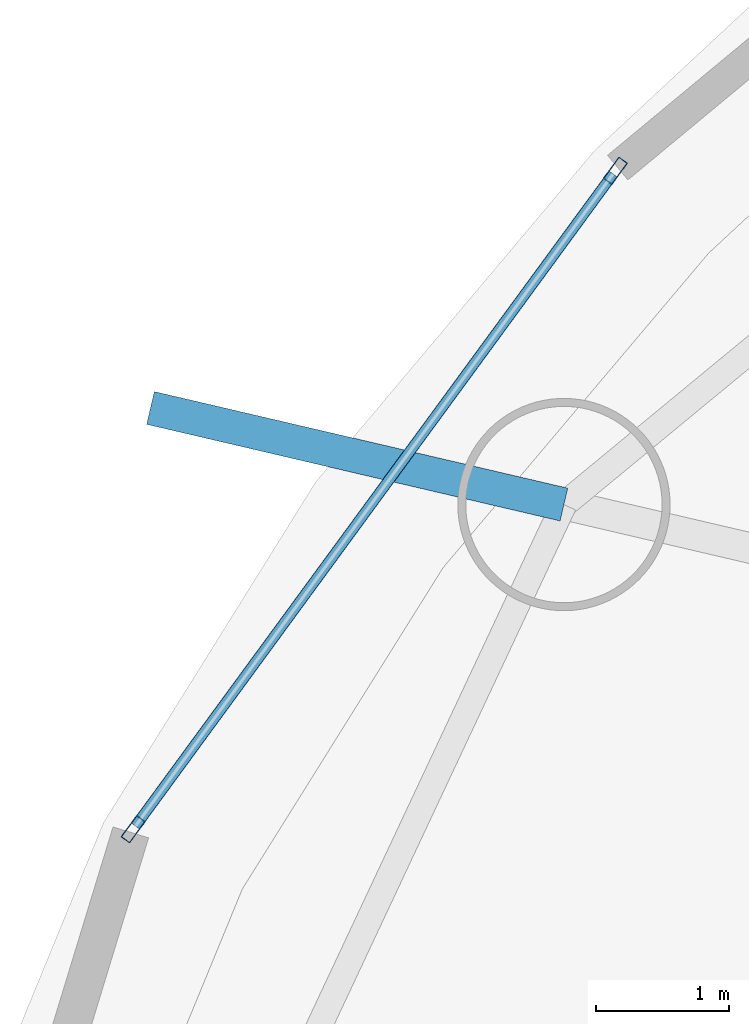
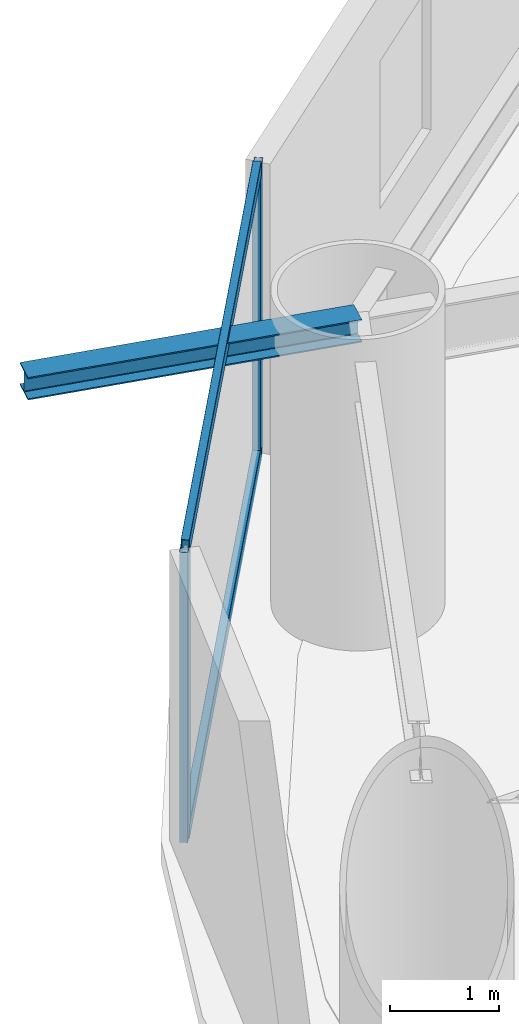
# One storey, part 10 of 20: 4 members, 1 beam, 1 element without a shape of its own.
"""IFC4 building model written with IfcOpenShell, lengths in metres."""

from ifc_helpers import new_model, si_unit, direction, frame, origin, origin_2d, place, context, subcontext, project, spatial, hollow_rectangle, i_section, extrude, material, layer, layer_set, material_profile, profile_set, type_object, element, aggregate, save


model = new_model("IFC4")

# Units and contexts
model_context = context("Model", 3, precision=1e-05, world=origin(), true_north=direction((0.0, 1.0)))
body_context = subcontext(model_context, "Body", "Model", "MODEL_VIEW")
ifc_project = project(units=[si_unit("LENGTHUNIT", "METRE"), si_unit("AREAUNIT", "SQUARE_METRE"), si_unit("VOLUMEUNIT", "CUBIC_METRE"), si_unit("PLANEANGLEUNIT", "RADIAN"), si_unit("MASSUNIT", "GRAM", prefix="KILO")], contexts=[model_context])

# Site, building, storey
site_placement = place(None, origin())
site = spatial("IfcSite", under=ifc_project, at=site_placement, CompositionType="ELEMENT")
building_placement = place(site_placement, origin())
building = spatial("IfcBuilding", under=site, at=building_placement, Name="Bramvorn Convention Spire", CompositionType="ELEMENT")
storey_placement = place(building_placement, frame((0.0, 0.0, 58.89990234375)))
storey = spatial("IfcBuildingStorey", under=building, at=storey_placement, Name="L12", CompositionType="ELEMENT", Elevation=58.89990234375)

# Beam
ifc_material_1 = material(Name="Steel CSA G40.21 Grade 350 (350W)", Category="steel")
ifc_material_profile_1 = material_profile(ifc_material_1, i_section(OverallWidth=0.25390625, OverallDepth=0.2529296875, WebThickness=0.008544921875, FlangeThickness=0.01416015625, FilletRadius=0.011962890625, at=origin_2d()))
ifc_profile_set_1 = profile_set([ifc_material_profile_1], Name="Steel CSA G40.21 Grade 350 (350W) - W250X73")
beam_type = type_object("IfcBeamType", Name="BM-W250X73", PredefinedType="BEAM", material=ifc_profile_set_1)
beam_placement = place(storey_placement, frame((12.64111328125, 36.746337890625, 3.12353515625), z_axis=(-0.973778145797, 0.227499720367, 0.0), x_axis=(-0.227499720367, -0.973778145797, 0.0)))
element("IfcBeam", 1, at=beam_placement, inside=storey, type_object=beam_type, Name="L12 slab-edge cantilever tip beam MC08", PredefinedType="BEAM", context=body_context, shape_type="SweptSolid", body=[
    extrude(i_section(OverallWidth=0.25390625, OverallDepth=0.2529296875, WebThickness=0.008544921875, FlangeThickness=0.01416015625, FilletRadius=0.011962890625, at=origin_2d()), origin(), (0.0, 0.0, 1.0), 3.2001953125),
])

# Curtain wall, members
ifc_material_2 = material(Name="Anodised Bronze Unitised Curtain Wall", Category="aluminium")
ifc_layer = layer(ifc_material_2, 0.179931640625)
ifc_layer_set = layer_set([ifc_layer], Name="Anodised Bronze Unitised Curtain Wall - CW-HTL-FRIT")
curtain_wall_type = type_object("IfcCurtainWallType", Name="CW-HTL-FRIT", PredefinedType="USERDEFINED", material=ifc_layer_set)
curtain_wall_placement = place(storey_placement, origin())
curtain_wall = element("IfcCurtainWall", 2, at=curtain_wall_placement, inside=storey, type_object=curtain_wall_type, Name="L12 fritted glass curtain wall 11", ObjectType="UNITISED CURTAIN WALL", PredefinedType="USERDEFINED")
ifc_material_3 = material(Name="Anodised Bronze Aluminium 6063-T6", Category="aluminium")
ifc_material_profile_2 = material_profile(ifc_material_3, hollow_rectangle(XDim=0.080078125, YDim=0.199951171875, WallThickness=0.00390625, InnerFilletRadius=0.0009765625, OuterFilletRadius=0.00390625, at=origin_2d()))
ifc_profile_set_2 = profile_set([ifc_material_profile_2], Name="Anodised Bronze Aluminium 6063-T6 - CWM80X200")
member_type_1 = type_object("IfcMemberType", Name="CW-MUL-180", PredefinedType="MULLION", material=ifc_profile_set_2)
member_1_placement = place(storey_placement, frame((9.39404296875, 34.299072265625, 0.0), z_axis=(0.0, 0.0, 1.0), x_axis=(-0.806742639547, 0.590902964569, 0.0)))
member_1 = element("IfcMember", 3, at=member_1_placement, type_object=member_type_1, Name="CW2 mullion 1", PredefinedType="MULLION", context=body_context, shape_type="SweptSolid", body=[
    extrude(hollow_rectangle(XDim=0.080078125, YDim=0.199951171875, WallThickness=0.00390625, InnerFilletRadius=0.0009765625, OuterFilletRadius=0.00390625, at=origin_2d()), origin(), (0.0, 0.0, 1.0), 3.25),
])
member_2_placement = place(storey_placement, frame((13.029296875, 39.26220703125, 0.0), z_axis=(0.0, 0.0, 1.0), x_axis=(-0.806742639547, 0.590902964569, 0.0)))
member_2 = element("IfcMember", 4, at=member_2_placement, type_object=member_type_1, Name="CW2 mullion 2", PredefinedType="MULLION", context=body_context, shape_type="SweptSolid", body=[
    extrude(hollow_rectangle(XDim=0.080078125, YDim=0.199951171875, WallThickness=0.00390625, InnerFilletRadius=0.0009765625, OuterFilletRadius=0.00390625, at=origin_2d()), origin(), (0.0, 0.0, 1.0), 3.25),
])
ifc_material_profile_3 = material_profile(ifc_material_3, hollow_rectangle(XDim=0.080078125, YDim=0.159912109375, WallThickness=0.00390625, InnerFilletRadius=0.0009765625, OuterFilletRadius=0.00390625, at=origin_2d()))
ifc_profile_set_3 = profile_set([ifc_material_profile_3], Name="Anodised Bronze Aluminium 6063-T6 - CWT80X160")
member_type_2 = type_object("IfcMemberType", Name="CW-TRN-150", PredefinedType="USERDEFINED", material=ifc_profile_set_3)
member_3_placement = place(storey_placement, frame((9.411865234375, 34.3232421875, 0.030029296875), z_axis=(0.590901433433, 0.806743761034, 0.0), x_axis=(-0.806743761034, 0.590901433433, 0.0)))
member_3 = element("IfcMember", 5, at=member_3_placement, type_object=member_type_2, Name="CW2 transom 1.1", ObjectType="TRANSOM", PredefinedType="USERDEFINED", context=body_context, shape_type="SweptSolid", body=[
    extrude(hollow_rectangle(XDim=0.080078125, YDim=0.159912109375, WallThickness=0.00390625, InnerFilletRadius=0.0009765625, OuterFilletRadius=0.00390625, at=origin_2d()), origin(), (0.0, 0.0, 1.0), 6.092041015625),
])
member_4_placement = place(storey_placement, frame((9.411865234375, 34.3232421875, 3.22021484375), z_axis=(0.590901433433, 0.806743761034, 0.0), x_axis=(-0.806743761034, 0.590901433433, 0.0)))
member_4 = element("IfcMember", 6, at=member_4_placement, type_object=member_type_2, Name="CW2 transom 1.2", ObjectType="TRANSOM", PredefinedType="USERDEFINED", context=body_context, shape_type="SweptSolid", body=[
    extrude(hollow_rectangle(XDim=0.080078125, YDim=0.159912109375, WallThickness=0.00390625, InnerFilletRadius=0.0009765625, OuterFilletRadius=0.00390625, at=origin_2d()), origin(), (0.0, 0.0, 1.0), 6.092041015625),
])
aggregate(curtain_wall, [member_1, member_2, member_3, member_4])

save(model, "model.ifc")
